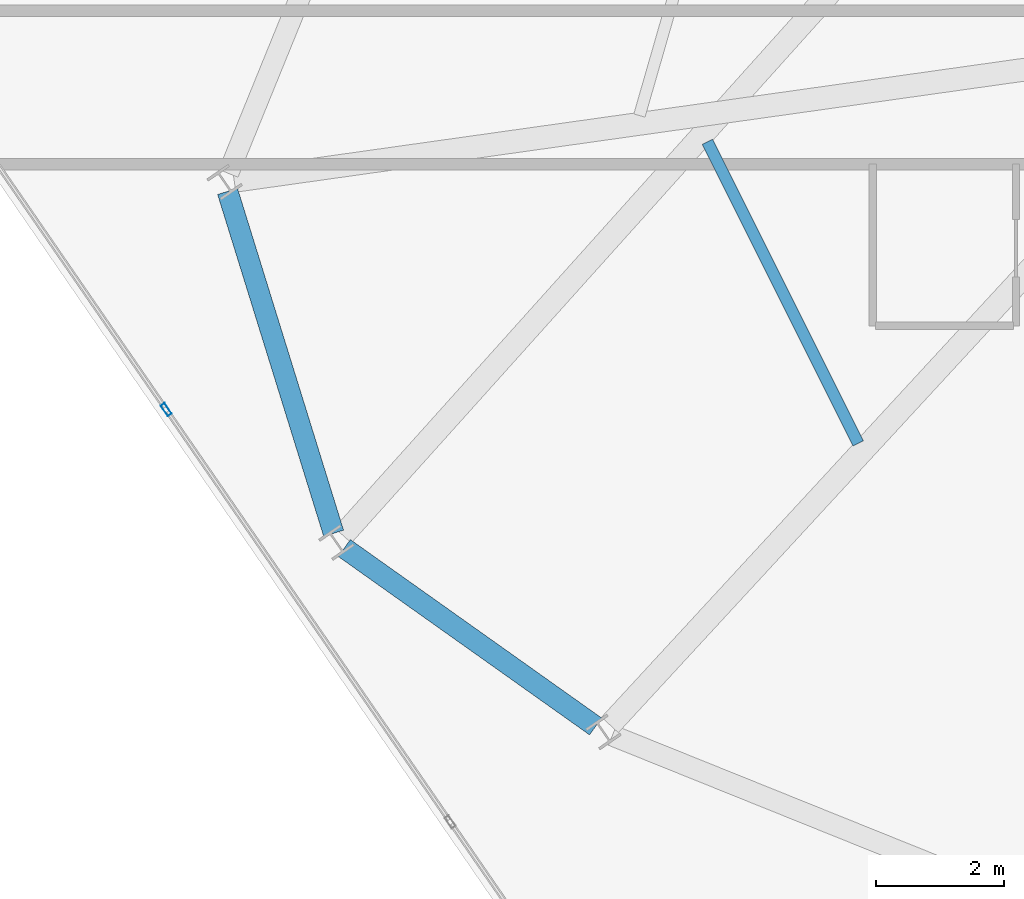
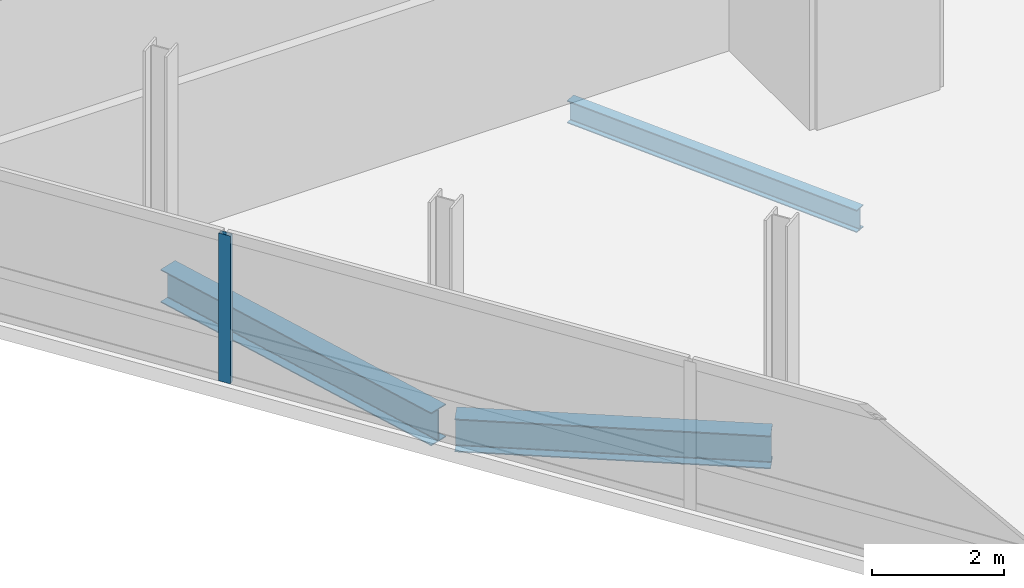
# One storey, part 6 of 23: 3 beams, 1 member, 1 element without a shape of its own.
"""IFC4 building model written with IfcOpenShell, lengths in metres."""

from ifc_helpers import new_model, si_unit, direction, frame, origin, origin_2d, place, context, subcontext, project, spatial, hollow_rectangle, i_section, extrude, material, layer, layer_set, material_profile, profile_set, type_object, element, aggregate, save


model = new_model("IFC4")

# Units and contexts
model_context = context("Model", 3, precision=1e-05, world=origin(), true_north=direction((0.0, 1.0)))
body_context = subcontext(model_context, "Body", "Model", "MODEL_VIEW")
ifc_project = project(units=[si_unit("LENGTHUNIT", "METRE"), si_unit("AREAUNIT", "SQUARE_METRE"), si_unit("VOLUMEUNIT", "CUBIC_METRE"), si_unit("PLANEANGLEUNIT", "RADIAN"), si_unit("MASSUNIT", "GRAM", prefix="KILO")], contexts=[model_context])

# Site, building, storey
site_placement = place(None, origin())
site = spatial("IfcSite", under=ifc_project, at=site_placement, CompositionType="ELEMENT")
building_placement = place(site_placement, origin())
building = spatial("IfcBuilding", under=site, at=building_placement, Name="Varnelok Gate Tower", CompositionType="ELEMENT")
storey_placement = place(building_placement, frame((0.0, 0.0, 273.0)))
storey = spatial("IfcBuildingStorey", under=building, at=storey_placement, Name="L70", CompositionType="ELEMENT", Elevation=273.0)

# Beams
ifc_material_1 = material(Name="Structural Steel ASTM A992 Grade 50", Category="steel")
ifc_material_profile_1 = material_profile(ifc_material_1, i_section(OverallWidth=0.180908203125, OverallDepth=0.4169921875, WebThickness=0.010986328125, FlangeThickness=0.018310546875, FilletRadius=0.013916015625, at=origin_2d()), Name="W16X57")
ifc_profile_set_1 = profile_set([ifc_material_profile_1], Name="Structural Steel ASTM A992 Grade 50")
beam_type_1 = type_object("IfcBeamType", Name="BM-JST-W16X57", PredefinedType="JOIST", material=ifc_profile_set_1)
beam_1_placement = place(storey_placement, frame((16.063720703125, 17.198974609375, -0.45849609375), z_axis=(0.447269375471, -0.89439929884, 0.0), x_axis=(0.89439929884, 0.447269375471, 0.0)))
element("IfcBeam", 1, at=beam_1_placement, inside=storey, type_object=beam_type_1, Name="L70 Sector Floor Joist 14", PredefinedType="JOIST", context=body_context, shape_type="SweptSolid", body=[
    extrude(i_section(OverallWidth=0.180908203125, OverallDepth=0.4169921875, WebThickness=0.010986328125, FlangeThickness=0.018310546875, FilletRadius=0.013916015625, at=origin_2d()), origin(), (0.0, 0.0, 1.0), 5.252197265625),
])
ifc_material_profile_2 = material_profile(ifc_material_1, i_section(OverallWidth=0.323974609375, OverallDepth=0.611083984375, WebThickness=0.0126953125, FlangeThickness=0.01904296875, FilletRadius=0.01806640625, at=origin_2d()), Name="W24X104")
ifc_profile_set_2 = profile_set([ifc_material_profile_2], Name="Structural Steel ASTM A992 Grade 50")
beam_type_2 = type_object("IfcBeamType", Name="BM-SPN-W24X104", PredefinedType="SPANDREL", material=ifc_profile_set_2)
beam_2_placement = place(storey_placement, frame((8.587646484375, 16.42529296875, -0.555419921875), z_axis=(0.296300068239, -0.955094900814, 0.0), x_axis=(0.955094900814, 0.296300068239, 0.0)))
element("IfcBeam", 2, at=beam_2_placement, inside=storey, type_object=beam_type_2, Name="L70 Perimeter Spandrel Beam 14", PredefinedType="SPANDREL", context=body_context, shape_type="SweptSolid", body=[
    extrude(i_section(OverallWidth=0.323974609375, OverallDepth=0.611083984375, WebThickness=0.0126953125, FlangeThickness=0.01904296875, FilletRadius=0.01806640625, at=origin_2d()), origin(), (0.0, 0.0, 1.0), 5.57666015625),
])
beam_3_placement = place(storey_placement, frame((10.40673828125, 10.868896484375, -0.555419921875), z_axis=(0.815431243688, -0.57885394256, 0.0), x_axis=(0.57885394256, 0.815431243688, 0.0)))
element("IfcBeam", 3, at=beam_3_placement, inside=storey, type_object=beam_type_2, Name="L70 Perimeter Spandrel Beam 15", PredefinedType="SPANDREL", context=body_context, shape_type="SweptSolid", body=[
    extrude(i_section(OverallWidth=0.323974609375, OverallDepth=0.611083984375, WebThickness=0.0126953125, FlangeThickness=0.01904296875, FilletRadius=0.01806640625, at=origin_2d()), origin(), (0.0, 0.0, 1.0), 4.7998046875),
])

# Curtain wall, member
ifc_material_2 = material(Name="Anodized Aluminum Alloy 6063-T6", Category="aluminium")
ifc_layer = layer(ifc_material_2, 0.179931640625)
ifc_layer_set = layer_set([ifc_layer], Name="Anodized Aluminum Alloy 6063-T6")
curtain_wall_type = type_object("IfcCurtainWallType", Name="CW4-RESIDENCE-VISION", PredefinedType="USERDEFINED", material=ifc_layer_set)
curtain_wall_placement = place(storey_placement, origin())
curtain_wall = element("IfcCurtainWall", 4, at=curtain_wall_placement, inside=storey, type_object=curtain_wall_type, Name="L70 West End Vision Curtain Wall", ObjectType="UNITISED CURTAIN WALL", PredefinedType="USERDEFINED")
ifc_material_profile_3 = material_profile(ifc_material_2, hollow_rectangle(XDim=0.074951171875, YDim=0.199951171875, WallThickness=0.00390625, at=origin_2d()), Name="ALU200X75X4")
ifc_profile_set_3 = profile_set([ifc_material_profile_3], Name="Anodized Aluminum Alloy 6063-T6")
member_type = type_object("IfcMemberType", Name="CW-MULL-200", PredefinedType="MULLION", material=ifc_profile_set_3)
member_placement = place(storey_placement, frame((7.631591796875, 13.0263671875, 0.0), z_axis=(0.0, 0.0, 1.0), x_axis=(-0.823532290241, -0.567269395376, 0.0)))
member = element("IfcMember", 5, at=member_placement, type_object=member_type, Name="CW4 mullion 4", PredefinedType="MULLION", context=body_context, shape_type="SweptSolid", body=[
    extrude(hollow_rectangle(XDim=0.074951171875, YDim=0.199951171875, WallThickness=0.00390625, at=origin_2d()), origin(), (0.0, 0.0, 1.0), 2.72998046875),
])
aggregate(curtain_wall, [member])

save(model, "model.ifc")
